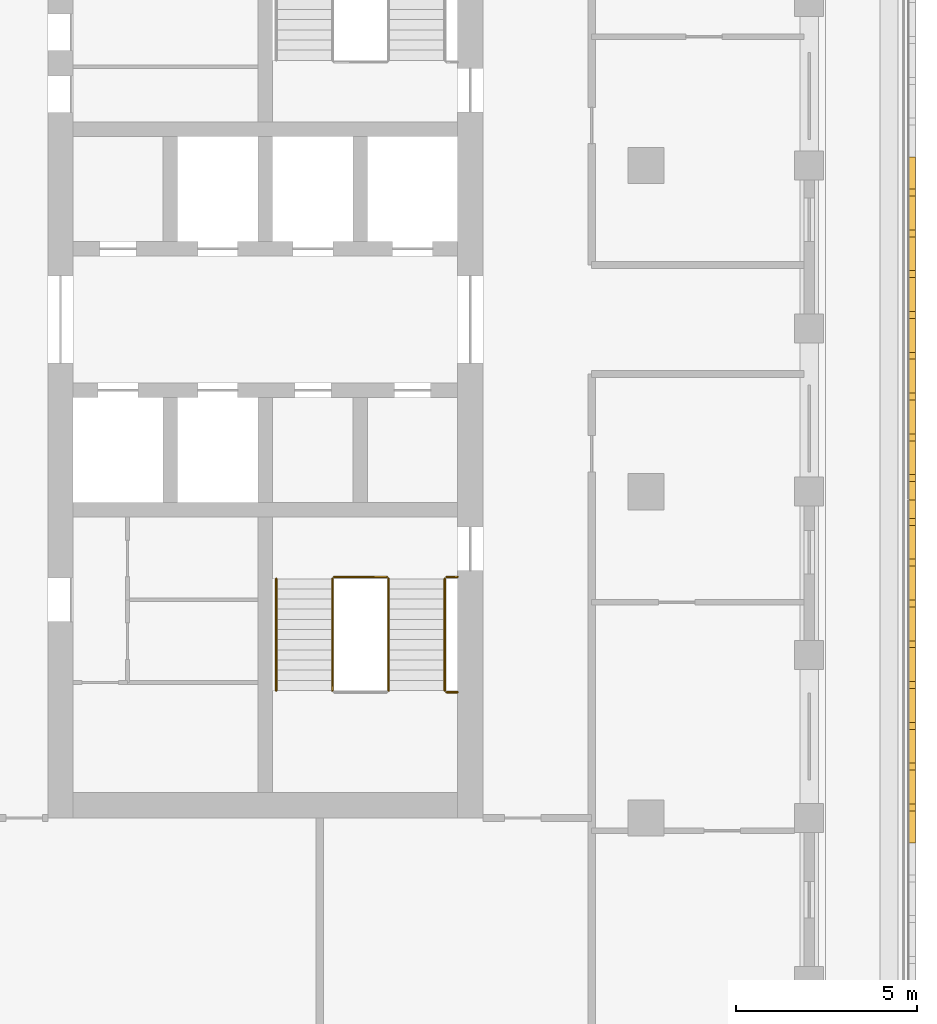
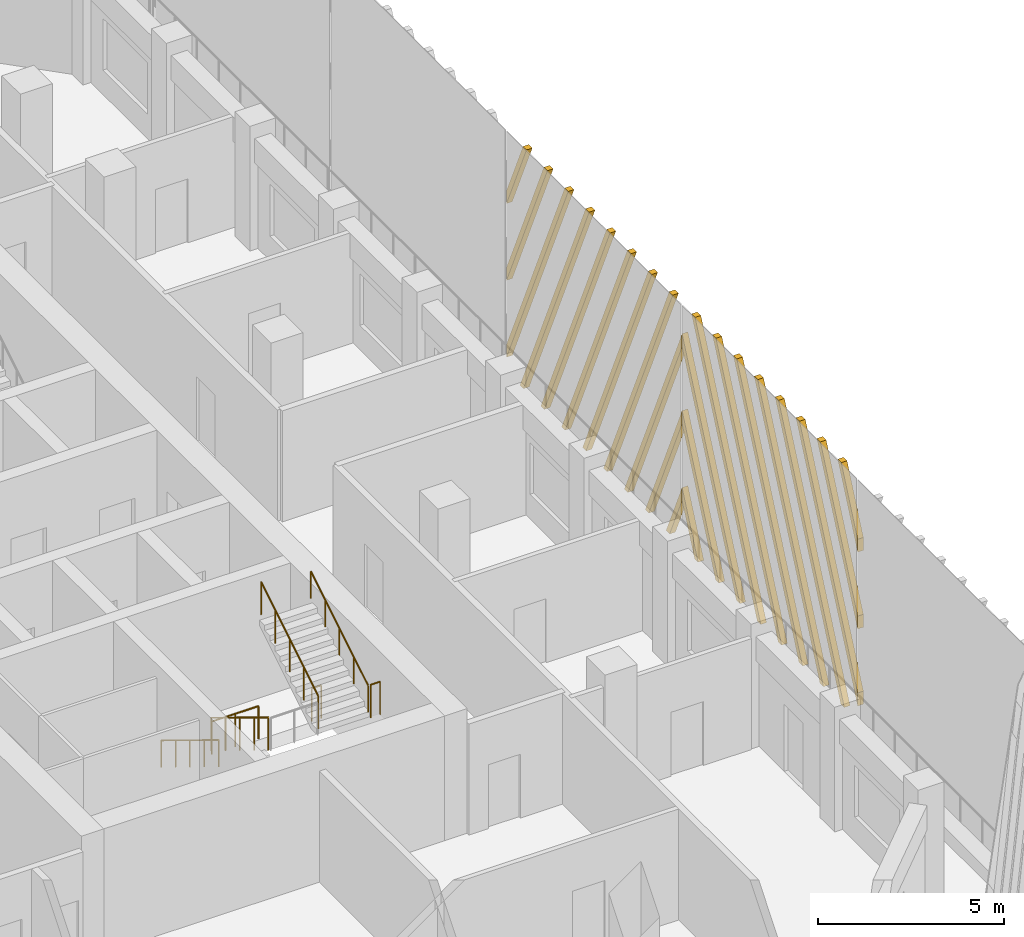
# One storey, part 12 of 17: 7 railings, 2 shading devices.
"""IFC4 building model written with IfcOpenShell, lengths in metres."""

from ifc_helpers import new_model, si_unit, direction, frame, origin, origin_2d, place, context, subcontext, project, spatial, polyline, circle, outline, extrude, source, transform, mapped, material, type_object, element, save


model = new_model("IFC4")

# Units and contexts
model_context = context("Model", 3, precision=1e-05, world=origin(), true_north=direction((0.0, 1.0)))
body_context = subcontext(model_context, "Body", "Model", "MODEL_VIEW")
ifc_project = project(units=[si_unit("LENGTHUNIT", "METRE"), si_unit("AREAUNIT", "SQUARE_METRE"), si_unit("VOLUMEUNIT", "CUBIC_METRE"), si_unit("PLANEANGLEUNIT", "RADIAN"), si_unit("MASSUNIT", "GRAM", prefix="KILO")], contexts=[model_context])

# Site, building, storey
site_placement = place(None, origin())
site = spatial("IfcSite", under=ifc_project, at=site_placement, CompositionType="ELEMENT")
building_placement = place(site_placement, origin())
building = spatial("IfcBuilding", under=site, at=building_placement, Name="Corbel Stack Research Tower", CompositionType="ELEMENT")
storey_placement = place(building_placement, frame((0.0, 0.0, 239.800048828125)))
storey = spatial("IfcBuildingStorey", under=building, at=storey_placement, Name="L54", CompositionType="ELEMENT", Elevation=239.800048828125)

# Railings
ifc_material_1 = material(Name="Steel S355", Category="steel")
railing_type_1 = type_object("IfcRailingType", Name="Stair guard 1100", PredefinedType="GUARDRAIL", material=ifc_material_1)
railing_1_placement = place(storey_placement, frame((13.85009765625, -2.39990234375, 0.1708984375)))
element("IfcRailing", 1, at=railing_1_placement, inside=storey, type_object=railing_type_1, Name="L54 ST-E1 stair guard 1", PredefinedType="GUARDRAIL", context=body_context, shape_type="SweptSolid", body=[
    extrude(circle(Radius=0.02392578125, at=origin_2d()), frame((0.0, 0.0, 1.076171875), z_axis=(0.0, -0.853666305674, 0.52082035152), x_axis=(1.0, 0.0, 0.0)), (0.0, 0.0, 1.0), 3.608154296875),
    extrude(circle(Radius=0.02099609375, at=origin_2d()), origin(), (0.0, 0.0, 1.0), 1.052001953125),
    extrude(circle(Radius=0.02099609375, at=origin_2d()), frame((0.0, -0.77001953125, 0.4697265625)), (0.0, 0.0, 1.0), 1.052001953125),
    extrude(circle(Radius=0.02099609375, at=origin_2d()), frame((0.0, -1.5400390625, 0.939453125)), (0.0, 0.0, 1.0), 1.052001953125),
    extrude(circle(Radius=0.02099609375, at=origin_2d()), frame((0.0, -2.31005859375, 1.409423828125)), (0.0, 0.0, 1.0), 1.052001953125),
    extrude(circle(Radius=0.02099609375, at=origin_2d()), frame((0.0, -3.080078125, 1.879150390625)), (0.0, 0.0, 1.0), 1.052001953125),
])
railing_2_placement = place(storey_placement, frame((17.0, -5.530029296875, 2.050048828125)))
element("IfcRailing", 2, at=railing_2_placement, inside=storey, type_object=railing_type_1, Name="L54 ST-E1 stair guard 3", PredefinedType="GUARDRAIL", context=body_context, shape_type="SweptSolid", body=[
    extrude(circle(Radius=0.02392578125, at=origin_2d()), frame((0.0, 0.0, 1.076171875), z_axis=(1.0, 0.0, 0.0), x_axis=(0.0, 1.0, 0.0)), (0.0, 0.0, 1.0), 0.300048828125),
    extrude(circle(Radius=0.02099609375, at=origin_2d()), origin(), (0.0, 0.0, 1.0), 1.052001953125),
    extrude(circle(Radius=0.02099609375, at=origin_2d()), frame((0.300048828125, 0.0, 0.0)), (0.0, 0.0, 1.0), 1.052001953125),
])
railing_3_placement = place(storey_placement, frame((15.39990234375, -5.47998046875, 2.220703125)))
element("IfcRailing", 3, at=railing_3_placement, inside=storey, type_object=railing_type_1, Name="L54 ST-E1 stair guard 4", PredefinedType="GUARDRAIL", context=body_context, shape_type="SweptSolid", body=[
    extrude(circle(Radius=0.02392578125, at=origin_2d()), frame((0.0, 0.0, 1.076171875), z_axis=(0.0, 0.853666305674, 0.52082035152), x_axis=(-1.0, 0.0, 0.0)), (0.0, 0.0, 1.0), 3.608154296875),
    extrude(circle(Radius=0.02099609375, at=origin_2d()), origin(), (0.0, 0.0, 1.0), 1.052001953125),
    extrude(circle(Radius=0.02099609375, at=origin_2d()), frame((0.0, 0.77001953125, 0.4697265625)), (0.0, 0.0, 1.0), 1.052001953125),
    extrude(circle(Radius=0.02099609375, at=origin_2d()), frame((0.0, 1.5400390625, 0.939453125)), (0.0, 0.0, 1.0), 1.052001953125),
    extrude(circle(Radius=0.02099609375, at=origin_2d()), frame((0.0, 2.31005859375, 1.409423828125)), (0.0, 0.0, 1.0), 1.052001953125),
    extrude(circle(Radius=0.02099609375, at=origin_2d()), frame((0.0, 3.080078125, 1.879150390625)), (0.0, 0.0, 1.0), 1.052001953125),
])
railing_4_placement = place(storey_placement, frame((13.89990234375, -2.35009765625, 0.0)))
element("IfcRailing", 4, at=railing_4_placement, inside=storey, type_object=railing_type_1, Name="L54 ST-E1 stair guard 5", PredefinedType="GUARDRAIL", context=body_context, shape_type="SweptSolid", body=[
    extrude(circle(Radius=0.02392578125, at=origin_2d()), frame((0.0, 0.0, 1.076171875), z_axis=(1.0, 0.0, 0.0), x_axis=(0.0, 1.0, 0.0)), (0.0, 0.0, 1.0), 1.4501953125),
    extrude(circle(Radius=0.02099609375, at=origin_2d()), origin(), (0.0, 0.0, 1.0), 1.052001953125),
    extrude(circle(Radius=0.02099609375, at=origin_2d()), frame((0.72509765625, 0.0, 0.0)), (0.0, 0.0, 1.0), 1.052001953125),
    extrude(circle(Radius=0.02099609375, at=origin_2d()), frame((1.4501953125, 0.0, 0.0)), (0.0, 0.0, 1.0), 1.052001953125),
])
railing_5_placement = place(storey_placement, frame((17.0, -2.35009765625, 0.0)))
element("IfcRailing", 5, at=railing_5_placement, inside=storey, type_object=railing_type_1, Name="L54 ST-E1 stair guard 6", PredefinedType="GUARDRAIL", context=body_context, shape_type="SweptSolid", body=[
    extrude(circle(Radius=0.02392578125, at=origin_2d()), frame((0.0, 0.0, 1.076171875), z_axis=(1.0, 0.0, 0.0), x_axis=(0.0, 1.0, 0.0)), (0.0, 0.0, 1.0), 0.300048828125),
    extrude(circle(Radius=0.02099609375, at=origin_2d()), origin(), (0.0, 0.0, 1.0), 1.052001953125),
    extrude(circle(Radius=0.02099609375, at=origin_2d()), frame((0.300048828125, 0.0, 0.0)), (0.0, 0.0, 1.0), 1.052001953125),
])
ifc_material_2 = material(Name="Steel S355", Category="steel")
railing_type_2 = type_object("IfcRailingType", Name="Stair handrail 900", PredefinedType="HANDRAIL", material=ifc_material_2)
railing_6_placement = place(storey_placement, frame((12.300048828125, -2.39990234375, 0.1708984375)))
element("IfcRailing", 6, at=railing_6_placement, inside=storey, type_object=railing_type_2, Name="L54 ST-E1 stair handrail 1", PredefinedType="HANDRAIL", context=body_context, shape_type="SweptSolid", body=[
    extrude(circle(Radius=0.02392578125, at=origin_2d()), frame((0.0, 0.0, 0.8759765625), z_axis=(0.0, -0.853666305674, 0.52082035152), x_axis=(1.0, 0.0, 0.0)), (0.0, 0.0, 1.0), 3.608154296875),
    extrude(circle(Radius=0.02099609375, at=origin_2d()), origin(), (0.0, 0.0, 1.0), 0.851806640625),
    extrude(circle(Radius=0.02099609375, at=origin_2d()), frame((0.0, -0.77001953125, 0.4697265625)), (0.0, 0.0, 1.0), 0.851806640625),
    extrude(circle(Radius=0.02099609375, at=origin_2d()), frame((0.0, -1.5400390625, 0.939453125)), (0.0, 0.0, 1.0), 0.851806640625),
    extrude(circle(Radius=0.02099609375, at=origin_2d()), frame((0.0, -2.31005859375, 1.409423828125)), (0.0, 0.0, 1.0), 0.851806640625),
    extrude(circle(Radius=0.02099609375, at=origin_2d()), frame((0.0, -3.080078125, 1.879150390625)), (0.0, 0.0, 1.0), 0.851806640625),
])
railing_7_placement = place(storey_placement, frame((16.949951171875, -5.47998046875, 2.220703125)))
element("IfcRailing", 7, at=railing_7_placement, inside=storey, type_object=railing_type_2, Name="L54 ST-E1 stair handrail 2", PredefinedType="HANDRAIL", context=body_context, shape_type="SweptSolid", body=[
    extrude(circle(Radius=0.02392578125, at=origin_2d()), frame((0.0, 0.0, 0.8759765625), z_axis=(0.0, 0.853666305674, 0.52082035152), x_axis=(-1.0, 0.0, 0.0)), (0.0, 0.0, 1.0), 3.608154296875),
    extrude(circle(Radius=0.02099609375, at=origin_2d()), origin(), (0.0, 0.0, 1.0), 0.851806640625),
    extrude(circle(Radius=0.02099609375, at=origin_2d()), frame((0.0, 0.77001953125, 0.4697265625)), (0.0, 0.0, 1.0), 0.851806640625),
    extrude(circle(Radius=0.02099609375, at=origin_2d()), frame((0.0, 1.5400390625, 0.939453125)), (0.0, 0.0, 1.0), 0.851806640625),
    extrude(circle(Radius=0.02099609375, at=origin_2d()), frame((0.0, 2.31005859375, 1.409423828125)), (0.0, 0.0, 1.0), 0.851806640625),
    extrude(circle(Radius=0.02099609375, at=origin_2d()), frame((0.0, 3.080078125, 1.879150390625)), (0.0, 0.0, 1.0), 0.851806640625),
])

# Shading devices
ifc_material_3 = material(Name="Precast terracotta", Category="masonry")
shading_device_type = type_object("IfcShadingDeviceType", Name="Terracotta screen panel", PredefinedType="USERDEFINED", material=ifc_material_3)
shared_shape_1 = source(origin(), body_context, "Body", "SweptSolid", [
    extrude(outline(polyline([(0.862060546875, 0.0), (0.0, 1.936279296875), (0.0, 1.509521484375), (0.672119140625, 0.0), (0.862060546875, 0.0)])), frame((0.0, 0.0, 0.0), z_axis=(0.0, -1.0, 0.0), x_axis=(1.0, 0.0, 0.0)), (0.0, 0.0, 1.0), 0.179931640625),
    extrude(outline(polyline([(1.987060546875, 0.0), (0.0, 4.463134765625), (0.0, 4.036376953125), (1.797119140625, 0.0), (1.987060546875, 0.0)])), frame((0.0, 0.0, 0.0), z_axis=(0.0, -1.0, 0.0), x_axis=(1.0, 0.0, 0.0)), (0.0, 0.0, 1.0), 0.179931640625),
    extrude(outline(polyline([(3.112060546875, 0.0), (0.0, 6.989990234375), (0.0, 6.563232421875), (2.922119140625, 0.0), (3.112060546875, 0.0)])), frame((0.0, 0.0, 0.0), z_axis=(0.0, -1.0, 0.0), x_axis=(1.0, 0.0, 0.0)), (0.0, 0.0, 1.0), 0.179931640625),
    extrude(outline(polyline([(4.237060546875, 0.0), (0.697509765625, 7.949951171875), (0.507568359375, 7.949951171875), (4.047119140625, 0.0), (4.237060546875, 0.0)])), frame((0.0, 0.0, 0.0), z_axis=(0.0, -1.0, 0.0), x_axis=(1.0, 0.0, 0.0)), (0.0, 0.0, 1.0), 0.179931640625),
    extrude(outline(polyline([(5.362060546875, 0.0), (1.822509765625, 7.949951171875), (1.632568359375, 7.949951171875), (5.172119140625, 0.0), (5.362060546875, 0.0)])), frame((0.0, 0.0, 0.0), z_axis=(0.0, -1.0, 0.0), x_axis=(1.0, 0.0, 0.0)), (0.0, 0.0, 1.0), 0.179931640625),
    extrude(outline(polyline([(6.487060546875, 0.0), (2.947509765625, 7.949951171875), (2.757568359375, 7.949951171875), (6.297119140625, 0.0), (6.487060546875, 0.0)])), frame((0.0, 0.0, 0.0), z_axis=(0.0, -1.0, 0.0), x_axis=(1.0, 0.0, 0.0)), (0.0, 0.0, 1.0), 0.179931640625),
    extrude(outline(polyline([(7.612060546875, 0.0), (4.072509765625, 7.949951171875), (3.882568359375, 7.949951171875), (7.422119140625, 0.0), (7.612060546875, 0.0)])), frame((0.0, 0.0, 0.0), z_axis=(0.0, -1.0, 0.0), x_axis=(1.0, 0.0, 0.0)), (0.0, 0.0, 1.0), 0.179931640625),
    extrude(outline(polyline([(8.737060546875, 0.0), (5.197509765625, 7.949951171875), (5.007568359375, 7.949951171875), (8.547119140625, 0.0), (8.737060546875, 0.0)])), frame((0.0, 0.0, 0.0), z_axis=(0.0, -1.0, 0.0), x_axis=(1.0, 0.0, 0.0)), (0.0, 0.0, 1.0), 0.179931640625),
    extrude(outline(polyline([(6.322509765625, 7.949951171875), (6.132568359375, 7.949951171875), (9.45556640625, 0.486328125), (9.45556640625, 0.9130859375), (6.322509765625, 7.949951171875)])), frame((0.0, 0.0, 0.0), z_axis=(0.0, -1.0, 0.0), x_axis=(1.0, 0.0, 0.0)), (0.0, 0.0, 1.0), 0.179931640625),
    extrude(outline(polyline([(7.447509765625, 7.949951171875), (7.257568359375, 7.949951171875), (9.45556640625, 3.01318359375), (9.45556640625, 3.439697265625), (7.447509765625, 7.949951171875)])), frame((0.0, 0.0, 0.0), z_axis=(0.0, -1.0, 0.0), x_axis=(1.0, 0.0, 0.0)), (0.0, 0.0, 1.0), 0.179931640625),
    extrude(outline(polyline([(8.572509765625, 7.949951171875), (8.382568359375, 7.949951171875), (9.45556640625, 5.539794921875), (9.45556640625, 5.966552734375), (8.572509765625, 7.949951171875)])), frame((0.0, 0.0, 0.0), z_axis=(0.0, -1.0, 0.0), x_axis=(1.0, 0.0, 0.0)), (0.0, 0.0, 1.0), 0.179931640625),
])
shading_device_1_placement = place(storey_placement, frame((29.75, -0.227783203125, 0.0), z_axis=(0.0, 0.0, 1.0), x_axis=(0.0, 1.0, 0.0)))
element("IfcShadingDevice", 8, at=shading_device_1_placement, inside=storey, type_object=shading_device_type, Name="Terracotta screen L54 E3", ObjectType="SCREEN", PredefinedType="USERDEFINED", context=body_context, shape_type="MappedRepresentation", body=[
    mapped(shared_shape_1, transform((0.0, 0.0, 0.0))),
])
shared_shape_2 = source(origin(), body_context, "Body", "SweptSolid", [
    extrude(outline(polyline([(1.072998046875, 7.949951171875), (0.883056640625, 7.949951171875), (0.0, 5.966552734375), (0.0, 5.539794921875), (1.072998046875, 7.949951171875)])), frame((0.0, 0.0, 0.0), z_axis=(0.0, -1.0, 0.0), x_axis=(1.0, 0.0, 0.0)), (0.0, 0.0, 1.0), 0.179931640625),
    extrude(outline(polyline([(2.197998046875, 7.949951171875), (2.008056640625, 7.949951171875), (0.0, 3.439697265625), (0.0, 3.01318359375), (2.197998046875, 7.949951171875)])), frame((0.0, 0.0, 0.0), z_axis=(0.0, -1.0, 0.0), x_axis=(1.0, 0.0, 0.0)), (0.0, 0.0, 1.0), 0.179931640625),
    extrude(outline(polyline([(3.322998046875, 7.949951171875), (3.133056640625, 7.949951171875), (0.0, 0.9130859375), (0.0, 0.486328125), (3.322998046875, 7.949951171875)])), frame((0.0, 0.0, 0.0), z_axis=(0.0, -1.0, 0.0), x_axis=(1.0, 0.0, 0.0)), (0.0, 0.0, 1.0), 0.179931640625),
    extrude(outline(polyline([(0.908447265625, 0.0), (4.447998046875, 7.949951171875), (4.258056640625, 7.949951171875), (0.718505859375, 0.0), (0.908447265625, 0.0)])), frame((0.0, 0.0, 0.0), z_axis=(0.0, -1.0, 0.0), x_axis=(1.0, 0.0, 0.0)), (0.0, 0.0, 1.0), 0.179931640625),
    extrude(outline(polyline([(2.033447265625, 0.0), (5.572998046875, 7.949951171875), (5.383056640625, 7.949951171875), (1.843505859375, 0.0), (2.033447265625, 0.0)])), frame((0.0, 0.0, 0.0), z_axis=(0.0, -1.0, 0.0), x_axis=(1.0, 0.0, 0.0)), (0.0, 0.0, 1.0), 0.179931640625),
    extrude(outline(polyline([(3.158447265625, 0.0), (6.697998046875, 7.949951171875), (6.508056640625, 7.949951171875), (2.968505859375, 0.0), (3.158447265625, 0.0)])), frame((0.0, 0.0, 0.0), z_axis=(0.0, -1.0, 0.0), x_axis=(1.0, 0.0, 0.0)), (0.0, 0.0, 1.0), 0.179931640625),
    extrude(outline(polyline([(4.283447265625, 0.0), (7.822998046875, 7.949951171875), (7.633056640625, 7.949951171875), (4.093505859375, 0.0), (4.283447265625, 0.0)])), frame((0.0, 0.0, 0.0), z_axis=(0.0, -1.0, 0.0), x_axis=(1.0, 0.0, 0.0)), (0.0, 0.0, 1.0), 0.179931640625),
    extrude(outline(polyline([(5.408447265625, 0.0), (8.947998046875, 7.949951171875), (8.758056640625, 7.949951171875), (5.218505859375, 0.0), (5.408447265625, 0.0)])), frame((0.0, 0.0, 0.0), z_axis=(0.0, -1.0, 0.0), x_axis=(1.0, 0.0, 0.0)), (0.0, 0.0, 1.0), 0.179931640625),
    extrude(outline(polyline([(6.533447265625, 0.0), (9.45556640625, 6.563232421875), (9.45556640625, 6.989990234375), (6.343505859375, 0.0), (6.533447265625, 0.0)])), frame((0.0, 0.0, 0.0), z_axis=(0.0, -1.0, 0.0), x_axis=(1.0, 0.0, 0.0)), (0.0, 0.0, 1.0), 0.179931640625),
    extrude(outline(polyline([(7.658447265625, 0.0), (9.45556640625, 4.036376953125), (9.45556640625, 4.463134765625), (7.468505859375, 0.0), (7.658447265625, 0.0)])), frame((0.0, 0.0, 0.0), z_axis=(0.0, -1.0, 0.0), x_axis=(1.0, 0.0, 0.0)), (0.0, 0.0, 1.0), 0.179931640625),
    extrude(outline(polyline([(8.783447265625, 0.0), (9.45556640625, 1.509521484375), (9.45556640625, 1.936279296875), (8.593505859375, 0.0), (8.783447265625, 0.0)])), frame((0.0, 0.0, 0.0), z_axis=(0.0, -1.0, 0.0), x_axis=(1.0, 0.0, 0.0)), (0.0, 0.0, 1.0), 0.179931640625),
])
shading_device_2_placement = place(storey_placement, frame((29.75, -9.68359375, 0.0), z_axis=(0.0, 0.0, 1.0), x_axis=(0.0, 1.0, 0.0)))
element("IfcShadingDevice", 9, at=shading_device_2_placement, inside=storey, type_object=shading_device_type, Name="Terracotta screen L54 E2", ObjectType="SCREEN", PredefinedType="USERDEFINED", context=body_context, shape_type="MappedRepresentation", body=[
    mapped(shared_shape_2, transform((0.0, 0.0, 0.0))),
])

save(model, "model.ifc")
